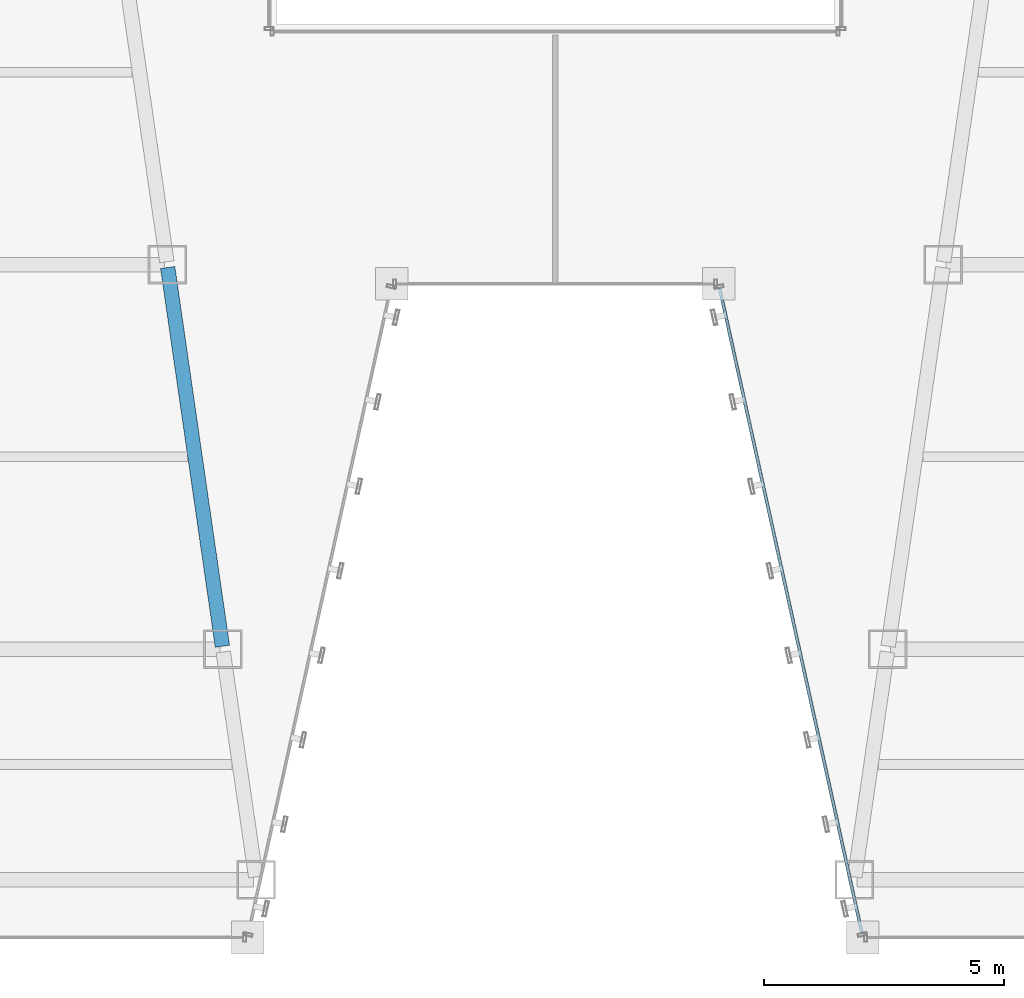
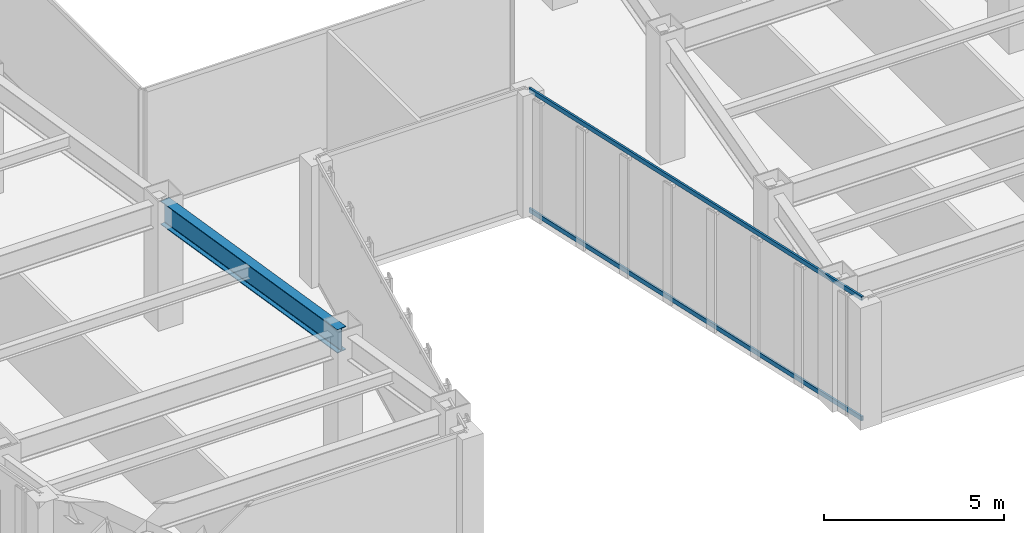
# One storey, part 8 of 47: 2 members, 1 beam, 1 element without a shape of its own.
"""IFC4 building model written with IfcOpenShell, lengths in metres."""

from ifc_helpers import new_model, si_unit, direction, frame, origin, origin_2d, place, context, subcontext, project, spatial, hollow_rectangle, i_section, extrude, material, material_profile, profile_set, type_object, element, aggregate, save


model = new_model("IFC4")

# Units and contexts
model_context = context("Model", 3, precision=1e-05, world=origin(), true_north=direction((0.0, 1.0)))
body_context = subcontext(model_context, "Body", "Model", "MODEL_VIEW")
ifc_project = project(units=[si_unit("LENGTHUNIT", "METRE"), si_unit("AREAUNIT", "SQUARE_METRE"), si_unit("VOLUMEUNIT", "CUBIC_METRE"), si_unit("PLANEANGLEUNIT", "RADIAN"), si_unit("MASSUNIT", "GRAM", prefix="KILO")], contexts=[model_context])

# Site, building, storey
site_placement = place(None, origin())
site = spatial("IfcSite", under=ifc_project, at=site_placement, CompositionType="ELEMENT")
building_placement = place(site_placement, origin())
building = spatial("IfcBuilding", under=site, at=building_placement, Name="Saevonmaru Cultural Tower", CompositionType="ELEMENT")
storey_placement = place(building_placement, frame((0.0, 0.0, 92.800048828125)))
storey = spatial("IfcBuildingStorey", under=building, at=storey_placement, Name="L19", CompositionType="ELEMENT", Elevation=92.800048828125)

# Beam
ifc_material_1 = material(Name="Steel SM420", Category="steel")
ifc_material_profile_1 = material_profile(ifc_material_1, i_section(OverallWidth=0.300048828125, OverallDepth=0.800048828125, WebThickness=0.013916015625, FlangeThickness=0.02587890625, FilletRadius=0.028076171875, at=origin_2d()), Name="H-800x300x14x26")
ifc_profile_set_1 = profile_set([ifc_material_profile_1], Name="Steel SM420")
beam_type = type_object("IfcBeamType", Name="BM-G-H800", PredefinedType="BEAM", material=ifc_profile_set_1)
beam_placement = place(storey_placement, frame((23.074462890625, 8.059326171875, 3.75), z_axis=(-0.142902032203, 0.989736838353, 0.0), x_axis=(-0.989736838353, -0.142902032203, 0.0)))
element("IfcBeam", 1, at=beam_placement, inside=storey, type_object=beam_type, Name="L19 West Atrium Girder 2", PredefinedType="BEAM", context=body_context, shape_type="SweptSolid", body=[
    extrude(i_section(OverallWidth=0.300048828125, OverallDepth=0.800048828125, WebThickness=0.013916015625, FlangeThickness=0.02587890625, FilletRadius=0.028076171875, at=origin_2d()), origin(), (0.0, 0.0, 1.0), 7.963134765625),
])

# Curtain wall, members
ifc_material_2 = material(Name="Satin Bronze Anodised Aluminium", Category="aluminium")
curtain_wall_type = type_object("IfcCurtainWallType", Name="CW-TYP-A", PredefinedType="NOTDEFINED", material=ifc_material_2)
curtain_wall_placement = place(storey_placement, origin())
curtain_wall = element("IfcCurtainWall", 2, at=curtain_wall_placement, inside=storey, type_object=curtain_wall_type, Name="L19 Unitised Curtain Wall E5", PredefinedType="NOTDEFINED")
ifc_material_profile_2 = material_profile(ifc_material_2, hollow_rectangle(XDim=0.06494140625, YDim=0.14990234375, WallThickness=0.00390625, at=origin_2d()), Name="ALU-TRAN-150x65x4")
ifc_profile_set_2 = profile_set([ifc_material_profile_2], Name="Satin Bronze Anodised Aluminium")
member_type = type_object("IfcMemberType", Name="TR-CW-150x65", PredefinedType="USERDEFINED", material=ifc_profile_set_2)
member_1_placement = place(storey_placement, frame((33.419921875, 15.509765625, 0.032470703125), z_axis=(0.21541214732, -0.976523223885, 0.0), x_axis=(0.976523223885, 0.21541214732, 0.0)))
member_1 = element("IfcMember", 3, at=member_1_placement, type_object=member_type, Name="CW-TW-L19-E5 transom 1.1", ObjectType="TRANSOM", PredefinedType="USERDEFINED", context=body_context, shape_type="SweptSolid", body=[
    extrude(hollow_rectangle(XDim=0.06494140625, YDim=0.14990234375, WallThickness=0.00390625, at=origin_2d()), origin(), (0.0, 0.0, 1.0), 13.741943359375),
])
member_2_placement = place(storey_placement, frame((33.419921875, 15.509765625, 4.117431640625), z_axis=(0.21541214732, -0.976523223885, 0.0), x_axis=(0.976523223885, 0.21541214732, 0.0)))
member_2 = element("IfcMember", 4, at=member_2_placement, type_object=member_type, Name="CW-TW-L19-E5 transom 1.2", ObjectType="TRANSOM", PredefinedType="USERDEFINED", context=body_context, shape_type="SweptSolid", body=[
    extrude(hollow_rectangle(XDim=0.06494140625, YDim=0.14990234375, WallThickness=0.00390625, at=origin_2d()), origin(), (0.0, 0.0, 1.0), 13.741943359375),
])
aggregate(curtain_wall, [member_1, member_2])

save(model, "model.ifc")
